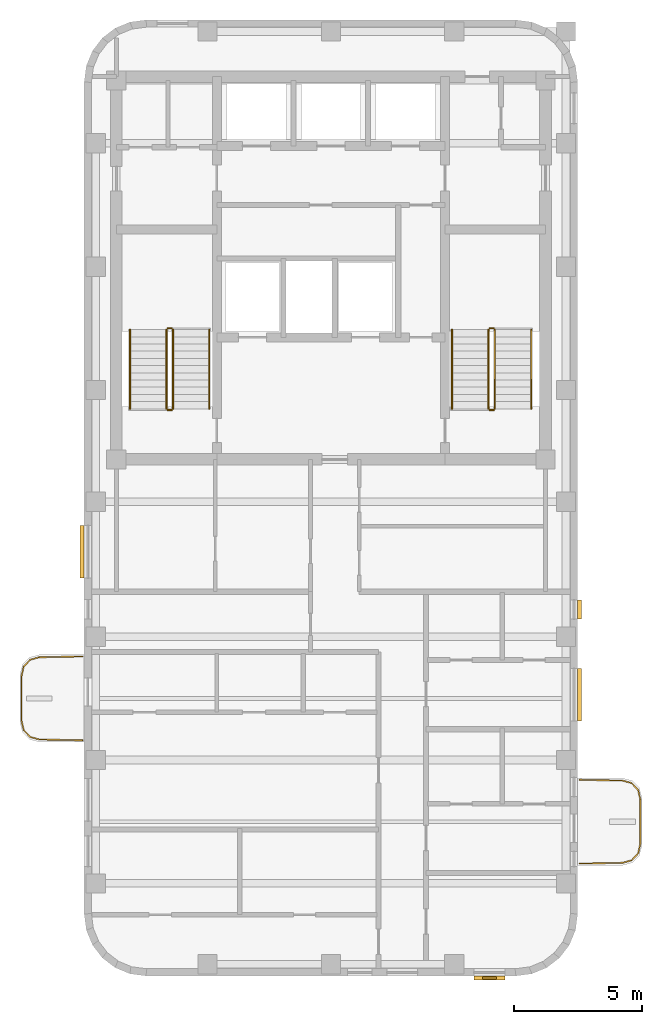
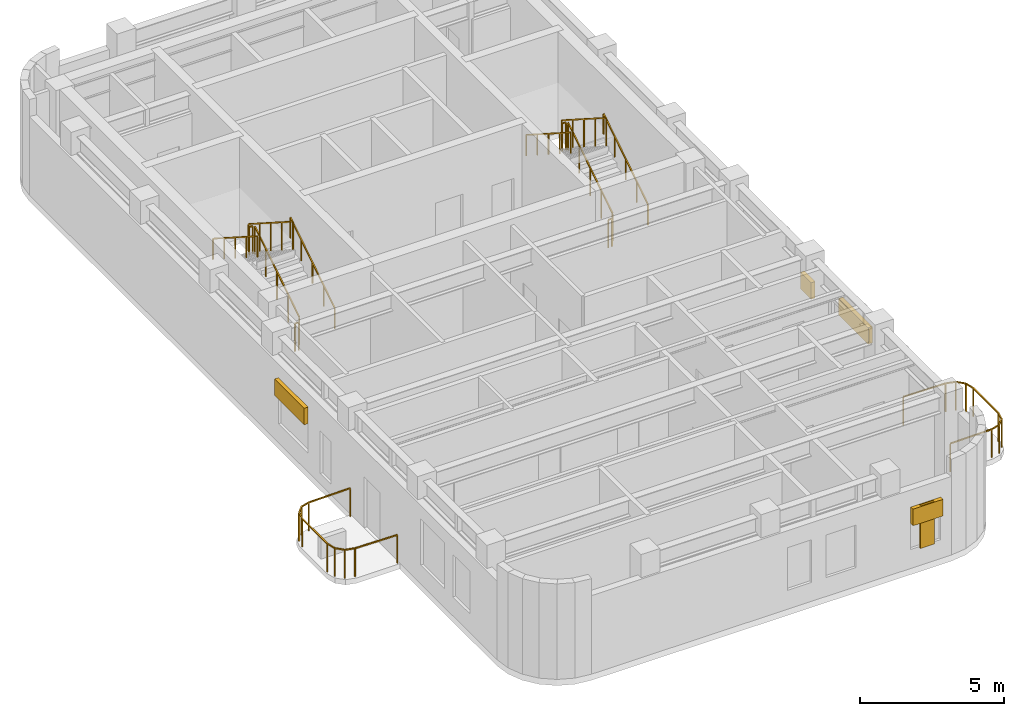
# One storey, part 6 of 6: 14 railings, 5 shading devices.
"""IFC4 building model written with IfcOpenShell, lengths in metres."""

from ifc_helpers import new_model, si_unit, direction, frame, origin, origin_2d, place, context, subcontext, project, spatial, rectangle, extrude, material, type_object, element, save


model = new_model("IFC4")

# Units and contexts
model_context = context("Model", 3, precision=1e-05, world=origin(), true_north=direction((0.0, 1.0)))
body_context = subcontext(model_context, "Body", "Model", "MODEL_VIEW")
ifc_project = project(units=[si_unit("LENGTHUNIT", "METRE"), si_unit("AREAUNIT", "SQUARE_METRE"), si_unit("VOLUMEUNIT", "CUBIC_METRE"), si_unit("PLANEANGLEUNIT", "RADIAN"), si_unit("MASSUNIT", "GRAM", prefix="KILO")], contexts=[model_context])

# Site, building, storey
site_placement = place(None, origin())
site = spatial("IfcSite", under=ifc_project, at=site_placement, CompositionType="ELEMENT")
building_placement = place(site_placement, origin())
building = spatial("IfcBuilding", under=site, at=building_placement, Name="Orvandelia Arch Residences", CompositionType="ELEMENT")
storey_placement = place(building_placement, frame((0.0, 0.0, 265.60009765625)))
storey = spatial("IfcBuildingStorey", under=building, at=storey_placement, Name="L69", CompositionType="ELEMENT", Elevation=265.60009765625)

# Railings
ifc_material_1 = material(Name="Marine-Grade Stainless Steel 316", Category="steel")
railing_type_1 = type_object("IfcRailingType", Name="GRD-BAL-1200", PredefinedType="BALUSTRADE", material=ifc_material_1)
railing_1_placement = place(storey_placement, frame((4.728271484375, 23.23046875, 0.0)))
element("IfcRailing", 1, at=railing_1_placement, inside=storey, type_object=railing_type_1, Name="Safety Balustrade Guard GRD-L69-BAL-L69-W1-1", PredefinedType="BALUSTRADE", context=body_context, shape_type="SweptSolid", body=[
    extrude(rectangle(XDim=0.048095703125, YDim=0.048095703125, at=origin_2d()), frame((0.0, 0.0, 1.19580078125), z_axis=(-0.999834751713, -0.018178813668, 0.0), x_axis=(0.018178813668, -0.999834751713, 0.0)), (0.0, 0.0, 1.0), 1.6787109375),
    extrude(rectangle(XDim=0.048095703125, YDim=0.048095703125, at=origin_2d()), frame((-1.678466796875, -0.030517578125, 1.19580078125), z_axis=(-0.96348920644, -0.267747173792, 0.0), x_axis=(0.267747173792, -0.96348920644, 0.0)), (0.0, 0.0, 1.0), 0.36572265625),
    extrude(rectangle(XDim=0.048095703125, YDim=0.048095703125, at=origin_2d()), frame((-2.03076171875, -0.12841796875, 1.19580078125), z_axis=(-0.688627404251, -0.725115368831, 0.0), x_axis=(0.725115368831, -0.688627404251, 0.0)), (0.0, 0.0, 1.0), 0.367919921875),
    extrude(rectangle(XDim=0.048095703125, YDim=0.048095703125, at=origin_2d()), frame((-2.2841796875, -0.395263671875, 1.19580078125), z_axis=(-0.220461657419, -0.975395641577, 0.0), x_axis=(0.975395641577, -0.220461657419, 0.0)), (0.0, 0.0, 1.0), 0.373291015625),
    extrude(rectangle(XDim=0.048095703125, YDim=0.048095703125, at=origin_2d()), frame((-2.366455078125, -0.75927734375, 1.19580078125), z_axis=(0.0, -1.0, 0.0), x_axis=(1.0, 0.0, 0.0)), (0.0, 0.0, 1.0), 1.742431640625),
    extrude(rectangle(XDim=0.048095703125, YDim=0.048095703125, at=origin_2d()), frame((-2.366455078125, -2.501708984375, 1.19580078125), z_axis=(0.220602419982, -0.975363815352, 0.0), x_axis=(0.975363815352, 0.220602419982, 0.0)), (0.0, 0.0, 1.0), 0.373046875),
    extrude(rectangle(XDim=0.048095703125, YDim=0.048095703125, at=origin_2d()), frame((-2.2841796875, -2.865478515625, 1.19580078125), z_axis=(0.688296224633, -0.725429739642, 0.0), x_axis=(0.725429739642, 0.688296224633, 0.0)), (0.0, 0.0, 1.0), 0.3681640625),
    extrude(rectangle(XDim=0.048095703125, YDim=0.048095703125, at=origin_2d()), frame((-2.03076171875, -3.132568359375, 1.19580078125), z_axis=(0.96348920644, -0.267747173792, 0.0), x_axis=(0.267747173792, 0.96348920644, 0.0)), (0.0, 0.0, 1.0), 0.36572265625),
    extrude(rectangle(XDim=0.048095703125, YDim=0.048095703125, at=origin_2d()), frame((-1.678466796875, -3.23046875, 1.19580078125), z_axis=(0.999834751713, -0.018178813668, 0.0), x_axis=(0.018178813668, 0.999834751713, 0.0)), (0.0, 0.0, 1.0), 1.6787109375),
    extrude(rectangle(XDim=0.0419921875, YDim=0.0419921875, at=origin_2d()), origin(), (0.0, 0.0, 1.0), 1.171875),
    extrude(rectangle(XDim=0.0419921875, YDim=0.0419921875, at=origin_2d()), frame((-1.678466796875, -0.030517578125, 0.0)), (0.0, 0.0, 1.0), 1.171875),
    extrude(rectangle(XDim=0.0419921875, YDim=0.0419921875, at=origin_2d()), frame((-2.03076171875, -0.12841796875, 0.0)), (0.0, 0.0, 1.0), 1.171875),
    extrude(rectangle(XDim=0.0419921875, YDim=0.0419921875, at=origin_2d()), frame((-2.2841796875, -0.395263671875, 0.0)), (0.0, 0.0, 1.0), 1.171875),
    extrude(rectangle(XDim=0.0419921875, YDim=0.0419921875, at=origin_2d()), frame((-2.366455078125, -0.75927734375, 0.0)), (0.0, 0.0, 1.0), 1.171875),
    extrude(rectangle(XDim=0.0419921875, YDim=0.0419921875, at=origin_2d()), frame((-2.366455078125, -2.501708984375, 0.0)), (0.0, 0.0, 1.0), 1.171875),
    extrude(rectangle(XDim=0.0419921875, YDim=0.0419921875, at=origin_2d()), frame((-2.2841796875, -2.865478515625, 0.0)), (0.0, 0.0, 1.0), 1.171875),
    extrude(rectangle(XDim=0.0419921875, YDim=0.0419921875, at=origin_2d()), frame((-2.03076171875, -3.132568359375, 0.0)), (0.0, 0.0, 1.0), 1.171875),
    extrude(rectangle(XDim=0.0419921875, YDim=0.0419921875, at=origin_2d()), frame((-1.678466796875, -3.23046875, 0.0)), (0.0, 0.0, 1.0), 1.171875),
    extrude(rectangle(XDim=0.0419921875, YDim=0.0419921875, at=origin_2d()), frame((0.0, -3.260986328125, 0.0)), (0.0, 0.0, 1.0), 1.171875),
])
railing_2_placement = place(storey_placement, frame((24.07177734375, 15.169677734375, 0.0)))
element("IfcRailing", 2, at=railing_2_placement, inside=storey, type_object=railing_type_1, Name="Safety Balustrade Guard GRD-L69-BAL-L69-W2-1", PredefinedType="BALUSTRADE", context=body_context, shape_type="SweptSolid", body=[
    extrude(rectangle(XDim=0.048095703125, YDim=0.048095703125, at=origin_2d()), frame((0.0, 0.0, 1.19580078125), z_axis=(0.999837384468, 0.018033430643, 0.0), x_axis=(-0.018033430643, 0.999837384468, 0.0)), (0.0, 0.0, 1.0), 1.6787109375),
    extrude(rectangle(XDim=0.048095703125, YDim=0.048095703125, at=origin_2d()), frame((1.678466796875, 0.0302734375, 1.19580078125), z_axis=(0.96348920644, 0.267747173792, 0.0), x_axis=(-0.267747173792, 0.96348920644, 0.0)), (0.0, 0.0, 1.0), 0.36572265625),
    extrude(rectangle(XDim=0.048095703125, YDim=0.048095703125, at=origin_2d()), frame((2.03076171875, 0.128173828125, 1.19580078125), z_axis=(0.687947031175, 0.725760898848, 0.0), x_axis=(-0.725760898848, 0.687947031175, 0.0)), (0.0, 0.0, 1.0), 0.367919921875),
    extrude(rectangle(XDim=0.048095703125, YDim=0.048095703125, at=origin_2d()), frame((2.283935546875, 0.395263671875, 1.19580078125), z_axis=(0.221225034864, 0.975222786828, 0.0), x_axis=(-0.975222786828, 0.221225034864, 0.0)), (0.0, 0.0, 1.0), 0.373046875),
    extrude(rectangle(XDim=0.048095703125, YDim=0.048095703125, at=origin_2d()), frame((2.366455078125, 0.759033203125, 1.19580078125), z_axis=(0.0, 1.0, 0.0), x_axis=(-1.0, 0.0, 0.0)), (0.0, 0.0, 1.0), 1.74267578125),
    extrude(rectangle(XDim=0.048095703125, YDim=0.048095703125, at=origin_2d()), frame((2.366455078125, 2.501708984375, 1.19580078125), z_axis=(-0.221225034864, 0.975222786828, 0.0), x_axis=(-0.975222786828, -0.221225034864, 0.0)), (0.0, 0.0, 1.0), 0.373046875),
    extrude(rectangle(XDim=0.048095703125, YDim=0.048095703125, at=origin_2d()), frame((2.283935546875, 2.865478515625, 1.19580078125), z_axis=(-0.688278345278, 0.725446703364, 0.0), x_axis=(-0.725446703364, -0.688278345278, 0.0)), (0.0, 0.0, 1.0), 0.367919921875),
    extrude(rectangle(XDim=0.048095703125, YDim=0.048095703125, at=origin_2d()), frame((2.03076171875, 3.13232421875, 1.19580078125), z_axis=(-0.96348920644, 0.267747173792, 0.0), x_axis=(-0.267747173792, -0.96348920644, 0.0)), (0.0, 0.0, 1.0), 0.36572265625),
    extrude(rectangle(XDim=0.048095703125, YDim=0.048095703125, at=origin_2d()), frame((1.678466796875, 3.230224609375, 1.19580078125), z_axis=(-0.999834751713, 0.018178813668, 0.0), x_axis=(-0.018178813668, -0.999834751713, 0.0)), (0.0, 0.0, 1.0), 1.6787109375),
    extrude(rectangle(XDim=0.0419921875, YDim=0.0419921875, at=origin_2d()), origin(), (0.0, 0.0, 1.0), 1.171875),
    extrude(rectangle(XDim=0.0419921875, YDim=0.0419921875, at=origin_2d()), frame((1.678466796875, 0.0302734375, 0.0)), (0.0, 0.0, 1.0), 1.171875),
    extrude(rectangle(XDim=0.0419921875, YDim=0.0419921875, at=origin_2d()), frame((2.03076171875, 0.128173828125, 0.0)), (0.0, 0.0, 1.0), 1.171875),
    extrude(rectangle(XDim=0.0419921875, YDim=0.0419921875, at=origin_2d()), frame((2.283935546875, 0.395263671875, 0.0)), (0.0, 0.0, 1.0), 1.171875),
    extrude(rectangle(XDim=0.0419921875, YDim=0.0419921875, at=origin_2d()), frame((2.366455078125, 0.759033203125, 0.0)), (0.0, 0.0, 1.0), 1.171875),
    extrude(rectangle(XDim=0.0419921875, YDim=0.0419921875, at=origin_2d()), frame((2.366455078125, 2.501708984375, 0.0)), (0.0, 0.0, 1.0), 1.171875),
    extrude(rectangle(XDim=0.0419921875, YDim=0.0419921875, at=origin_2d()), frame((2.283935546875, 2.865478515625, 0.0)), (0.0, 0.0, 1.0), 1.171875),
    extrude(rectangle(XDim=0.0419921875, YDim=0.0419921875, at=origin_2d()), frame((2.03076171875, 3.13232421875, 0.0)), (0.0, 0.0, 1.0), 1.171875),
    extrude(rectangle(XDim=0.0419921875, YDim=0.0419921875, at=origin_2d()), frame((1.678466796875, 3.230224609375, 0.0)), (0.0, 0.0, 1.0), 1.171875),
    extrude(rectangle(XDim=0.0419921875, YDim=0.0419921875, at=origin_2d()), frame((0.0, 3.2607421875, 0.0)), (0.0, 0.0, 1.0), 1.171875),
])
ifc_material_2 = material(Name="Brushed Stainless Steel 304", Category="steel")
railing_type_2 = type_object("IfcRailingType", Name="RL-STAIR-GD1120", PredefinedType="GUARDRAIL", material=ifc_material_2)
railing_3_placement = place(storey_placement, frame((8.25, 32.8701171875, 0.178955078125)))
element("IfcRailing", 3, at=railing_3_placement, inside=storey, type_object=railing_type_2, Name="L69 ST-1 stair guard 1", PredefinedType="GUARDRAIL", context=body_context, shape_type="SweptSolid", body=[
    extrude(rectangle(XDim=0.048095703125, YDim=0.048095703125, at=origin_2d()), frame((0.0, 0.0, 1.17578125), z_axis=(0.0, 0.842289589211, 0.539025275759), x_axis=(-1.0, 0.0, 0.0)), (0.0, 0.0, 1.0), 3.656494140625),
    extrude(rectangle(XDim=0.0419921875, YDim=0.0419921875, at=origin_2d()), origin(), (0.0, 0.0, 1.0), 1.15185546875),
    extrude(rectangle(XDim=0.0419921875, YDim=0.0419921875, at=origin_2d()), frame((0.0, 0.77001953125, 0.49267578125)), (0.0, 0.0, 1.0), 1.15185546875),
    extrude(rectangle(XDim=0.0419921875, YDim=0.0419921875, at=origin_2d()), frame((0.0, 1.5400390625, 0.9853515625)), (0.0, 0.0, 1.0), 1.15185546875),
    extrude(rectangle(XDim=0.0419921875, YDim=0.0419921875, at=origin_2d()), frame((0.0, 2.309814453125, 1.478271484375)), (0.0, 0.0, 1.0), 1.15185546875),
    extrude(rectangle(XDim=0.0419921875, YDim=0.0419921875, at=origin_2d()), frame((0.0, 3.079833984375, 1.970947265625)), (0.0, 0.0, 1.0), 1.15185546875),
])
railing_4_placement = place(storey_placement, frame((8.199951171875, 36.0, 2.14990234375)))
element("IfcRailing", 4, at=railing_4_placement, inside=storey, type_object=railing_type_2, Name="L69 ST-1 stair guard 2", PredefinedType="GUARDRAIL", context=body_context, shape_type="SweptSolid", body=[
    extrude(rectangle(XDim=0.048095703125, YDim=0.048095703125, at=origin_2d()), frame((0.0, 0.0, 1.17578125), z_axis=(-1.0, 0.0, 0.0), x_axis=(0.0, -1.0, 0.0)), (0.0, 0.0, 1.0), 0.14990234375),
    extrude(rectangle(XDim=0.0419921875, YDim=0.0419921875, at=origin_2d()), origin(), (0.0, 0.0, 1.0), 1.15185546875),
    extrude(rectangle(XDim=0.0419921875, YDim=0.0419921875, at=origin_2d()), frame((-0.14990234375, 0.0, 0.0)), (0.0, 0.0, 1.0), 1.15185546875),
])
railing_5_placement = place(storey_placement, frame((8.0, 35.949951171875, 2.3291015625)))
element("IfcRailing", 5, at=railing_5_placement, inside=storey, type_object=railing_type_2, Name="L69 ST-1 stair guard 3", PredefinedType="GUARDRAIL", context=body_context, shape_type="SweptSolid", body=[
    extrude(rectangle(XDim=0.048095703125, YDim=0.048095703125, at=origin_2d()), frame((0.0, 0.0, 1.17578125), z_axis=(0.0, -0.842319903074, 0.538977903893), x_axis=(1.0, 0.0, 0.0)), (0.0, 0.0, 1.0), 3.65625),
    extrude(rectangle(XDim=0.0419921875, YDim=0.0419921875, at=origin_2d()), origin(), (0.0, 0.0, 1.0), 1.15185546875),
    extrude(rectangle(XDim=0.0419921875, YDim=0.0419921875, at=origin_2d()), frame((0.0, -0.77001953125, 0.49267578125)), (0.0, 0.0, 1.0), 1.15185546875),
    extrude(rectangle(XDim=0.0419921875, YDim=0.0419921875, at=origin_2d()), frame((0.0, -1.5400390625, 0.9853515625)), (0.0, 0.0, 1.0), 1.15185546875),
    extrude(rectangle(XDim=0.0419921875, YDim=0.0419921875, at=origin_2d()), frame((0.0, -2.309814453125, 1.47802734375)), (0.0, 0.0, 1.0), 1.15185546875),
    extrude(rectangle(XDim=0.0419921875, YDim=0.0419921875, at=origin_2d()), frame((0.0, -3.079833984375, 1.970703125)), (0.0, 0.0, 1.0), 1.15185546875),
])
railing_6_placement = place(storey_placement, frame((8.199951171875, 32.820068359375, 0.0)))
element("IfcRailing", 6, at=railing_6_placement, inside=storey, type_object=railing_type_2, Name="L69 ST-1 stair guard 4", PredefinedType="GUARDRAIL", context=body_context, shape_type="SweptSolid", body=[
    extrude(rectangle(XDim=0.048095703125, YDim=0.048095703125, at=origin_2d()), frame((0.0, 0.0, 1.17578125), z_axis=(-1.0, 0.0, 0.0), x_axis=(0.0, -1.0, 0.0)), (0.0, 0.0, 1.0), 0.14990234375),
    extrude(rectangle(XDim=0.0419921875, YDim=0.0419921875, at=origin_2d()), origin(), (0.0, 0.0, 1.0), 1.15185546875),
    extrude(rectangle(XDim=0.0419921875, YDim=0.0419921875, at=origin_2d()), frame((-0.14990234375, 0.0, 0.0)), (0.0, 0.0, 1.0), 1.15185546875),
])
railing_7_placement = place(storey_placement, frame((20.780029296875, 32.8701171875, 0.178955078125)))
element("IfcRailing", 7, at=railing_7_placement, inside=storey, type_object=railing_type_2, Name="L69 ST-2 stair guard 1", PredefinedType="GUARDRAIL", context=body_context, shape_type="SweptSolid", body=[
    extrude(rectangle(XDim=0.048095703125, YDim=0.048095703125, at=origin_2d()), frame((0.0, 0.0, 1.17578125), z_axis=(0.0, 0.842289589211, 0.539025275759), x_axis=(-1.0, 0.0, 0.0)), (0.0, 0.0, 1.0), 3.656494140625),
    extrude(rectangle(XDim=0.0419921875, YDim=0.0419921875, at=origin_2d()), origin(), (0.0, 0.0, 1.0), 1.15185546875),
    extrude(rectangle(XDim=0.0419921875, YDim=0.0419921875, at=origin_2d()), frame((0.0, 0.77001953125, 0.49267578125)), (0.0, 0.0, 1.0), 1.15185546875),
    extrude(rectangle(XDim=0.0419921875, YDim=0.0419921875, at=origin_2d()), frame((0.0, 1.5400390625, 0.9853515625)), (0.0, 0.0, 1.0), 1.15185546875),
    extrude(rectangle(XDim=0.0419921875, YDim=0.0419921875, at=origin_2d()), frame((0.0, 2.309814453125, 1.478271484375)), (0.0, 0.0, 1.0), 1.15185546875),
    extrude(rectangle(XDim=0.0419921875, YDim=0.0419921875, at=origin_2d()), frame((0.0, 3.079833984375, 1.970947265625)), (0.0, 0.0, 1.0), 1.15185546875),
])
railing_8_placement = place(storey_placement, frame((20.72998046875, 36.0, 2.14990234375)))
element("IfcRailing", 8, at=railing_8_placement, inside=storey, type_object=railing_type_2, Name="L69 ST-2 stair guard 2", PredefinedType="GUARDRAIL", context=body_context, shape_type="SweptSolid", body=[
    extrude(rectangle(XDim=0.048095703125, YDim=0.048095703125, at=origin_2d()), frame((0.0, 0.0, 1.17578125), z_axis=(-1.0, 0.0, 0.0), x_axis=(0.0, -1.0, 0.0)), (0.0, 0.0, 1.0), 0.14990234375),
    extrude(rectangle(XDim=0.0419921875, YDim=0.0419921875, at=origin_2d()), origin(), (0.0, 0.0, 1.0), 1.15185546875),
    extrude(rectangle(XDim=0.0419921875, YDim=0.0419921875, at=origin_2d()), frame((-0.14990234375, 0.0, 0.0)), (0.0, 0.0, 1.0), 1.15185546875),
])
railing_9_placement = place(storey_placement, frame((20.530029296875, 35.949951171875, 2.3291015625)))
element("IfcRailing", 9, at=railing_9_placement, inside=storey, type_object=railing_type_2, Name="L69 ST-2 stair guard 3", PredefinedType="GUARDRAIL", context=body_context, shape_type="SweptSolid", body=[
    extrude(rectangle(XDim=0.048095703125, YDim=0.048095703125, at=origin_2d()), frame((0.0, 0.0, 1.17578125), z_axis=(0.0, -0.842319903074, 0.538977903893), x_axis=(1.0, 0.0, 0.0)), (0.0, 0.0, 1.0), 3.65625),
    extrude(rectangle(XDim=0.0419921875, YDim=0.0419921875, at=origin_2d()), origin(), (0.0, 0.0, 1.0), 1.15185546875),
    extrude(rectangle(XDim=0.0419921875, YDim=0.0419921875, at=origin_2d()), frame((0.0, -0.77001953125, 0.49267578125)), (0.0, 0.0, 1.0), 1.15185546875),
    extrude(rectangle(XDim=0.0419921875, YDim=0.0419921875, at=origin_2d()), frame((0.0, -1.5400390625, 0.9853515625)), (0.0, 0.0, 1.0), 1.15185546875),
    extrude(rectangle(XDim=0.0419921875, YDim=0.0419921875, at=origin_2d()), frame((0.0, -2.309814453125, 1.47802734375)), (0.0, 0.0, 1.0), 1.15185546875),
    extrude(rectangle(XDim=0.0419921875, YDim=0.0419921875, at=origin_2d()), frame((0.0, -3.079833984375, 1.970703125)), (0.0, 0.0, 1.0), 1.15185546875),
])
railing_10_placement = place(storey_placement, frame((20.72998046875, 32.820068359375, 0.0)))
element("IfcRailing", 10, at=railing_10_placement, inside=storey, type_object=railing_type_2, Name="L69 ST-2 stair guard 4", PredefinedType="GUARDRAIL", context=body_context, shape_type="SweptSolid", body=[
    extrude(rectangle(XDim=0.048095703125, YDim=0.048095703125, at=origin_2d()), frame((0.0, 0.0, 1.17578125), z_axis=(-1.0, 0.0, 0.0), x_axis=(0.0, -1.0, 0.0)), (0.0, 0.0, 1.0), 0.14990234375),
    extrude(rectangle(XDim=0.0419921875, YDim=0.0419921875, at=origin_2d()), origin(), (0.0, 0.0, 1.0), 1.15185546875),
    extrude(rectangle(XDim=0.0419921875, YDim=0.0419921875, at=origin_2d()), frame((-0.14990234375, 0.0, 0.0)), (0.0, 0.0, 1.0), 1.15185546875),
])
railing_type_3 = type_object("IfcRailingType", Name="RL-STAIR-HR920", PredefinedType="HANDRAIL", material=ifc_material_2)
railing_11_placement = place(storey_placement, frame((9.669921875, 32.8701171875, 0.358154296875)))
element("IfcRailing", 11, at=railing_11_placement, inside=storey, type_object=railing_type_3, Name="L69 ST-1 stair handrail 1", PredefinedType="HANDRAIL", context=body_context, shape_type="SweptSolid", body=[
    extrude(rectangle(XDim=0.048095703125, YDim=0.048095703125, at=origin_2d()), frame((0.0, 0.0, 0.8759765625), z_axis=(0.0, 0.842289589211, 0.539025275759), x_axis=(-1.0, 0.0, 0.0)), (0.0, 0.0, 1.0), 3.656494140625),
    extrude(rectangle(XDim=0.0419921875, YDim=0.0419921875, at=origin_2d()), origin(), (0.0, 0.0, 1.0), 0.851806640625),
    extrude(rectangle(XDim=0.0419921875, YDim=0.0419921875, at=origin_2d()), frame((0.0, 0.77001953125, 0.49267578125)), (0.0, 0.0, 1.0), 0.851806640625),
    extrude(rectangle(XDim=0.0419921875, YDim=0.0419921875, at=origin_2d()), frame((0.0, 1.5400390625, 0.9853515625)), (0.0, 0.0, 1.0), 0.851806640625),
    extrude(rectangle(XDim=0.0419921875, YDim=0.0419921875, at=origin_2d()), frame((0.0, 2.309814453125, 1.478271484375)), (0.0, 0.0, 1.0), 0.851806640625),
    extrude(rectangle(XDim=0.0419921875, YDim=0.0419921875, at=origin_2d()), frame((0.0, 3.079833984375, 1.970947265625)), (0.0, 0.0, 1.0), 0.851806640625),
])
railing_12_placement = place(storey_placement, frame((6.580078125, 35.949951171875, 2.50830078125)))
element("IfcRailing", 12, at=railing_12_placement, inside=storey, type_object=railing_type_3, Name="L69 ST-1 stair handrail 2", PredefinedType="HANDRAIL", context=body_context, shape_type="SweptSolid", body=[
    extrude(rectangle(XDim=0.048095703125, YDim=0.048095703125, at=origin_2d()), frame((0.0, 0.0, 0.8759765625), z_axis=(0.0, -0.842319903074, 0.538977903893), x_axis=(1.0, 0.0, 0.0)), (0.0, 0.0, 1.0), 3.65625),
    extrude(rectangle(XDim=0.0419921875, YDim=0.0419921875, at=origin_2d()), origin(), (0.0, 0.0, 1.0), 0.851806640625),
    extrude(rectangle(XDim=0.0419921875, YDim=0.0419921875, at=origin_2d()), frame((0.0, -0.77001953125, 0.49267578125)), (0.0, 0.0, 1.0), 0.851806640625),
    extrude(rectangle(XDim=0.0419921875, YDim=0.0419921875, at=origin_2d()), frame((0.0, -1.5400390625, 0.9853515625)), (0.0, 0.0, 1.0), 0.851806640625),
    extrude(rectangle(XDim=0.0419921875, YDim=0.0419921875, at=origin_2d()), frame((0.0, -2.309814453125, 1.47802734375)), (0.0, 0.0, 1.0), 0.851806640625),
    extrude(rectangle(XDim=0.0419921875, YDim=0.0419921875, at=origin_2d()), frame((0.0, -3.079833984375, 1.970703125)), (0.0, 0.0, 1.0), 0.851806640625),
])
railing_13_placement = place(storey_placement, frame((22.199951171875, 32.8701171875, 0.358154296875)))
element("IfcRailing", 13, at=railing_13_placement, inside=storey, type_object=railing_type_3, Name="L69 ST-2 stair handrail 1", PredefinedType="HANDRAIL", context=body_context, shape_type="SweptSolid", body=[
    extrude(rectangle(XDim=0.048095703125, YDim=0.048095703125, at=origin_2d()), frame((0.0, 0.0, 0.8759765625), z_axis=(0.0, 0.842289589211, 0.539025275759), x_axis=(-1.0, 0.0, 0.0)), (0.0, 0.0, 1.0), 3.656494140625),
    extrude(rectangle(XDim=0.0419921875, YDim=0.0419921875, at=origin_2d()), origin(), (0.0, 0.0, 1.0), 0.851806640625),
    extrude(rectangle(XDim=0.0419921875, YDim=0.0419921875, at=origin_2d()), frame((0.0, 0.77001953125, 0.49267578125)), (0.0, 0.0, 1.0), 0.851806640625),
    extrude(rectangle(XDim=0.0419921875, YDim=0.0419921875, at=origin_2d()), frame((0.0, 1.5400390625, 0.9853515625)), (0.0, 0.0, 1.0), 0.851806640625),
    extrude(rectangle(XDim=0.0419921875, YDim=0.0419921875, at=origin_2d()), frame((0.0, 2.309814453125, 1.478271484375)), (0.0, 0.0, 1.0), 0.851806640625),
    extrude(rectangle(XDim=0.0419921875, YDim=0.0419921875, at=origin_2d()), frame((0.0, 3.079833984375, 1.970947265625)), (0.0, 0.0, 1.0), 0.851806640625),
])
railing_14_placement = place(storey_placement, frame((19.110107421875, 35.949951171875, 2.50830078125)))
element("IfcRailing", 14, at=railing_14_placement, inside=storey, type_object=railing_type_3, Name="L69 ST-2 stair handrail 2", PredefinedType="HANDRAIL", context=body_context, shape_type="SweptSolid", body=[
    extrude(rectangle(XDim=0.048095703125, YDim=0.048095703125, at=origin_2d()), frame((0.0, 0.0, 0.8759765625), z_axis=(0.0, -0.842319903074, 0.538977903893), x_axis=(1.0, 0.0, 0.0)), (0.0, 0.0, 1.0), 3.65625),
    extrude(rectangle(XDim=0.0419921875, YDim=0.0419921875, at=origin_2d()), origin(), (0.0, 0.0, 1.0), 0.851806640625),
    extrude(rectangle(XDim=0.0419921875, YDim=0.0419921875, at=origin_2d()), frame((0.0, -0.77001953125, 0.49267578125)), (0.0, 0.0, 1.0), 0.851806640625),
    extrude(rectangle(XDim=0.0419921875, YDim=0.0419921875, at=origin_2d()), frame((0.0, -1.5400390625, 0.9853515625)), (0.0, 0.0, 1.0), 0.851806640625),
    extrude(rectangle(XDim=0.0419921875, YDim=0.0419921875, at=origin_2d()), frame((0.0, -2.309814453125, 1.47802734375)), (0.0, 0.0, 1.0), 0.851806640625),
    extrude(rectangle(XDim=0.0419921875, YDim=0.0419921875, at=origin_2d()), frame((0.0, -3.079833984375, 1.970703125)), (0.0, 0.0, 1.0), 0.851806640625),
])

# Shading devices
ifc_material_3 = material(Name="Anodised Champagne-Bronze Extruded Aluminium", Category="aluminium")
shading_device_type_1 = type_object("IfcShadingDeviceType", Name="SHD-JALOUSIE-SCREEN", PredefinedType="JALOUSIE", material=ifc_material_3)
shading_device_1_placement = place(storey_placement, frame((24.080078125, 21.74609375, 2.0498046875), z_axis=(0.0, 0.0, 1.0), x_axis=(0.0, -1.0, 0.0)))
element("IfcShadingDevice", 15, at=shading_device_1_placement, inside=storey, type_object=shading_device_type_1, Name="Bronze Jalousie Sun-Shade L69-001", PredefinedType="JALOUSIE", context=body_context, shape_type="SweptSolid", body=[
    extrude(rectangle(XDim=2.050048828125, YDim=0.159912109375, at=origin_2d()), origin(), (0.0, 0.0, 1.0), 0.699951171875),
])
shading_device_2_placement = place(storey_placement, frame((24.080078125, 25.0576171875, 1.5498046875), z_axis=(0.0, 0.0, 1.0), x_axis=(0.0, -1.0, 0.0)))
element("IfcShadingDevice", 16, at=shading_device_2_placement, inside=storey, type_object=shading_device_type_1, Name="Bronze Jalousie Sun-Shade L69-002", PredefinedType="JALOUSIE", context=body_context, shape_type="SweptSolid", body=[
    extrude(rectangle(XDim=0.75, YDim=0.159912109375, at=origin_2d()), origin(), (0.0, 0.0, 1.0), 0.699951171875),
])
shading_device_3_placement = place(storey_placement, frame((20.5673828125, 10.719970703125, 1.89990234375), z_axis=(0.0, 0.0, 1.0), x_axis=(-1.0, 0.0, 0.0)))
element("IfcShadingDevice", 17, at=shading_device_3_placement, inside=storey, type_object=shading_device_type_1, Name="Bronze Jalousie Sun-Shade L69-003", PredefinedType="JALOUSIE", context=body_context, shape_type="SweptSolid", body=[
    extrude(rectangle(XDim=1.199951171875, YDim=0.159912109375, at=origin_2d()), origin(), (0.0, 0.0, 1.0), 0.699951171875),
])
shading_device_4_placement = place(storey_placement, frame((4.719970703125, 27.3076171875, 2.0498046875), z_axis=(0.0, 0.0, 1.0), x_axis=(0.0, 1.0, 0.0)))
element("IfcShadingDevice", 18, at=shading_device_4_placement, inside=storey, type_object=shading_device_type_1, Name="Bronze Jalousie Sun-Shade L69-004", PredefinedType="JALOUSIE", context=body_context, shape_type="SweptSolid", body=[
    extrude(rectangle(XDim=2.050048828125, YDim=0.159912109375, at=origin_2d()), origin(), (0.0, 0.0, 1.0), 0.699951171875),
])
ifc_material_4 = material(Name="Marine-Grade Perforated Aluminium Storm Shutter", Category="aluminium")
shading_device_type_2 = type_object("IfcShadingDeviceType", Name="SHD-STORM-SHUTTER", PredefinedType="SHUTTER", material=ifc_material_4)
shading_device_5_placement = place(storey_placement, frame((20.5673828125, 10.719970703125, 0.7998046875), z_axis=(0.0, 0.0, 1.0), x_axis=(-1.0, 0.0, 0.0)))
element("IfcShadingDevice", 19, at=shading_device_5_placement, inside=storey, type_object=shading_device_type_2, Name="Operable Typhoon Storm Shutter L69-003", PredefinedType="SHUTTER", context=body_context, shape_type="SweptSolid", body=[
    extrude(rectangle(XDim=0.550048828125, YDim=0.080078125, at=origin_2d()), origin(), (0.0, 0.0, 1.0), 1.800048828125),
])

save(model, "model.ifc")
